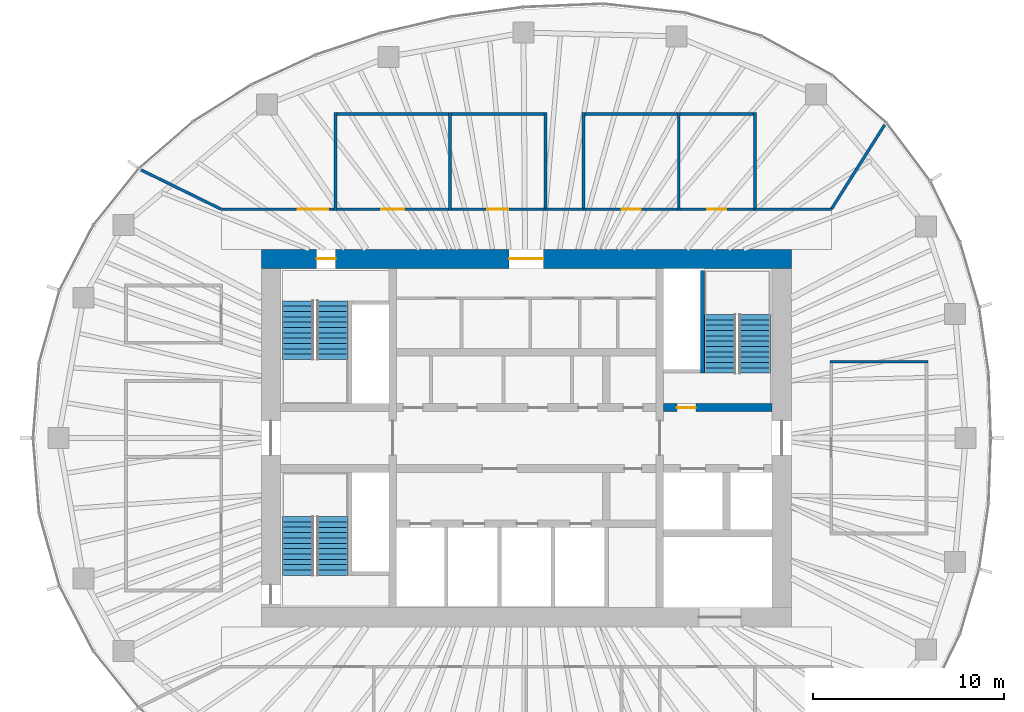
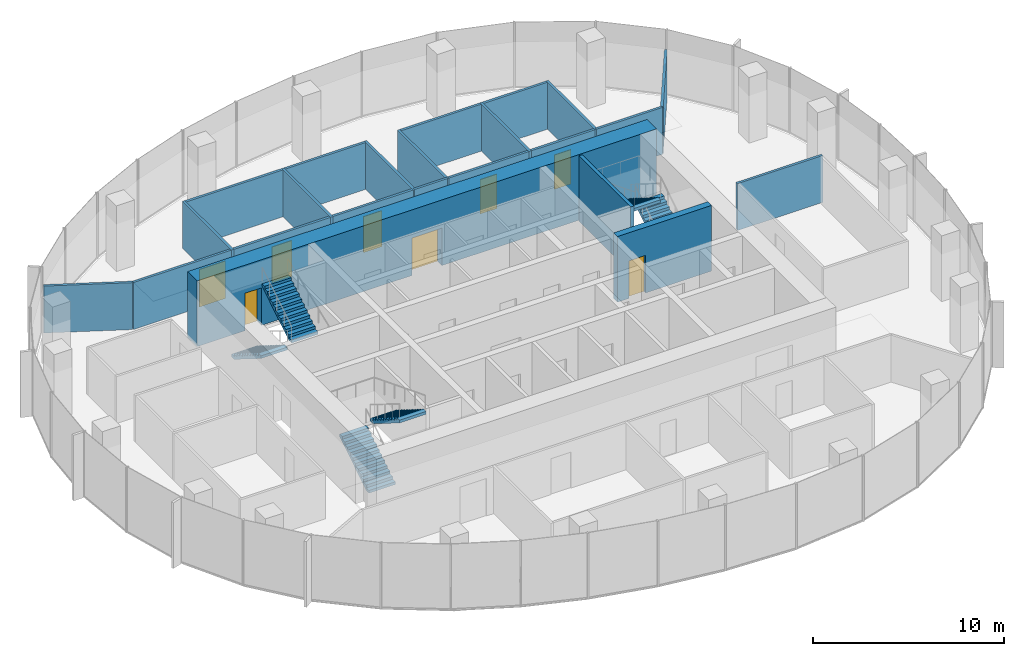
# One storey, part 10 of 11: 23 walls, 8 doors, 6 stair flights, 8 openings, 3 elements without a shape of their own.
"""IFC4 building model written with IfcOpenShell, lengths in metres."""

import ifcopenshell
import ifcopenshell.guid

model = None  # the IFC model being written
_history = None  # IfcOwnerHistory: only IFC2X3 demands one
_inside = {}  # id of a spatial element -> (the spatial element, [elements in it])
_under = {}  # id of a project, library or spatial element -> (it, [spatial elements below it])
_declared = {}  # id of a project -> (the project, [libraries it declares])
_typed = {}  # id of a type object -> (the type object, [elements of that type])
_made_of = {}  # id of a material, layer set ... -> (it, [elements and type objects made of it])


def new_model(schema):
    """Start an empty IFC model of exactly this schema.

    Asked for "IFC4X3", IfcOpenShell would pick the latest addendum, in which some entities
    have other attributes; the version numbers below select the first issue.
    IFC2X3 requires an IfcOwnerHistory on every rooted entity: one is made here for all.
    """
    global model, _history
    if schema == "IFC4X3":
        model = ifcopenshell.file(schema_version=(4, 3, 0, 0))
    else:
        model = ifcopenshell.file(schema=schema)
    _inside.clear()
    _under.clear()
    _declared.clear()
    _typed.clear()
    _made_of.clear()
    _history = None
    if model.schema == "IFC2X3":
        org = make("IfcOrganization", Name="unknown")
        user = make(
            "IfcPersonAndOrganization",
            ThePerson=make("IfcPerson", FamilyName="unknown"),
            TheOrganization=org,
        )
        app = make(
            "IfcApplication",
            ApplicationDeveloper=org,
            Version="unknown",
            ApplicationFullName="unknown",
            ApplicationIdentifier="unknown",
        )
        _history = make(
            "IfcOwnerHistory",
            OwningUser=user,
            OwningApplication=app,
            ChangeAction="ADDED",
            CreationDate=0,
        )
    return model


def make(cls, **values):
    """One entity of the class cls with the attributes given. An attribute that is None is left unset."""
    return model.create_entity(
        cls, **{name: value for name, value in values.items() if value is not None}
    )


def rooted(cls, **values):
    """An entity with a GlobalId (a new one), such as an element, a storey or a relation."""
    return make(cls, GlobalId=ifcopenshell.guid.new(), OwnerHistory=_history, **values)


def si_unit(unit_type, name, prefix=None):
    """IfcSIUnit, for example si_unit("LENGTHUNIT", "METRE", prefix="MILLI")."""
    return make("IfcSIUnit", UnitType=unit_type, Prefix=prefix, Name=name)


def assignment(units):
    """IfcUnitAssignment: the units of a project."""
    return None if units is None else make("IfcUnitAssignment", Units=units)


def point(xyz):
    """IfcCartesianPoint."""
    return None if xyz is None else make("IfcCartesianPoint", Coordinates=xyz)


def direction(xyz):
    """IfcDirection."""
    return None if xyz is None else make("IfcDirection", DirectionRatios=xyz)


def frame(location, z_axis=None, x_axis=None):
    """IfcAxis2Placement3D, a coordinate frame: its origin and axes. An axis left out is left unset."""
    return make(
        "IfcAxis2Placement3D",
        Location=point(location),
        Axis=direction(z_axis),
        RefDirection=direction(x_axis),
    )


def frame_2d(location, x_axis=None):
    """IfcAxis2Placement2D, a coordinate frame in the plane: its origin and x axis."""
    return make(
        "IfcAxis2Placement2D", Location=point(location), RefDirection=direction(x_axis)
    )


def origin():
    """The frame at (0, 0, 0) with its axes left unset."""
    return frame((0.0, 0.0, 0.0))


def place(relative_to, where):
    """IfcLocalPlacement: puts the frame where relative to a parent placement (None: the world)."""
    return make(
        "IfcLocalPlacement", PlacementRelTo=relative_to, RelativePlacement=where
    )


def context(
    kind, dimensions, precision=None, world=None, true_north=None, identifier=None
):
    """IfcGeometricRepresentationContext, for example the 3D "Model" context."""
    return make(
        "IfcGeometricRepresentationContext",
        ContextIdentifier=identifier,
        ContextType=kind,
        CoordinateSpaceDimension=dimensions,
        Precision=precision,
        WorldCoordinateSystem=world,
        TrueNorth=true_north,
    )


def subcontext(parent, identifier, kind, view, scale=None):
    """IfcGeometricRepresentationSubContext, for example "Body" below "Model"."""
    return make(
        "IfcGeometricRepresentationSubContext",
        ContextIdentifier=identifier,
        ContextType=kind,
        ParentContext=parent,
        TargetScale=scale,
        TargetView=view,
    )


def project(units=None, contexts=None):
    """IfcProject with its units and contexts."""
    return rooted(
        "IfcProject",
        Name="project",
        RepresentationContexts=contexts,
        UnitsInContext=assignment(units),
    )


def spatial(cls, under=None, at=None, **own):
    """A site, building, storey or space (cls), placed at a placement, below another one or the project."""
    s = rooted(cls, ObjectPlacement=at, **own)
    if under is not None:
        _under.setdefault(under.id(), (under, []))[1].append(s)
    return s


def polyline(points):
    """IfcPolyline through the points."""
    return make("IfcPolyline", Points=[point(p) for p in points])


def profile(cls, at=None, kind="AREA", **sizes):
    """A parametric profile (cls). Its sizes go by their IFC names, for example OverallWidth=200.0."""
    return make(cls, ProfileType=kind, Position=at, **sizes)


def rectangle(**sizes):
    """IfcRectangleProfileDef."""
    return profile("IfcRectangleProfileDef", **sizes)


def outline(outer, holes=None, kind="AREA"):
    """IfcArbitraryClosedProfileDef: a profile drawn as a closed curve; with holes, ...WithVoids."""
    if holes is None:
        return make("IfcArbitraryClosedProfileDef", ProfileType=kind, OuterCurve=outer)
    return make(
        "IfcArbitraryProfileDefWithVoids",
        ProfileType=kind,
        OuterCurve=outer,
        InnerCurves=holes,
    )


def extrude(swept, where, along, depth):
    """IfcExtrudedAreaSolid: the profile swept, set in the frame where, extruded along a direction by depth."""
    return make(
        "IfcExtrudedAreaSolid",
        SweptArea=swept,
        Position=where,
        ExtrudedDirection=direction(along),
        Depth=depth,
    )


def shape(context_of_items, identifier, shape_type, items):
    """IfcShapeRepresentation: the items that make up one representation, for example the "Body"."""
    return make(
        "IfcShapeRepresentation",
        ContextOfItems=context_of_items,
        RepresentationIdentifier=identifier,
        RepresentationType=shape_type,
        Items=items,
    )


def material(Name=None, Category=None):
    """IfcMaterial."""
    return make("IfcMaterial", Name=Name, Category=Category)


def layer(
    of_material, thickness, ventilated=None, Name=None, Category=None, Priority=None
):
    """IfcMaterialLayer: one layer of a wall or slab, of a material (None: an air gap)."""
    return make(
        "IfcMaterialLayer",
        Material=of_material,
        LayerThickness=thickness,
        IsVentilated=ventilated,
        Name=Name,
        Category=Category,
        Priority=Priority,
    )


def layer_set(layers, Name=None):
    """IfcMaterialLayerSet."""
    return make("IfcMaterialLayerSet", MaterialLayers=layers, LayerSetName=Name)


def made_of(thing, what):
    """Note that an element or type object is made of a material, layer set ...; save() writes the relation."""
    if what is not None:
        _made_of.setdefault(what.id(), (what, []))[1].append(thing)
    return thing


def type_object(cls, material=None, **own):
    """A type object (cls), such as IfcWallType, which elements share."""
    return made_of(rooted(cls, **own), material)


def element(
    cls,
    number,
    at=None,
    inside=None,
    cuts=None,
    type_object=None,
    material=None,
    context=None,
    identifier="Body",
    shape_type=None,
    held_by="IfcProductDefinitionShape",
    body=None,
    shapes=None,
    **own,
):
    """One element of the class cls, such as IfcWall. Its Tag is "e" and its number.

    at: its placement. inside: the storey or other place that contains it. cuts: it is an
    opening in that element (IfcRelVoidsElement). A single representation is given by context,
    identifier, shape_type and body (its items); several are given by shapes. held_by: the class
    of the entity that holds the representations. save() writes the other relations.
    """
    e = rooted(cls, Tag="e%d" % number, ObjectPlacement=at, **own)
    if body is not None:
        shapes = [shape(context, identifier, shape_type, body)]
    if shapes is not None:
        e.Representation = make(held_by, Representations=shapes)
    if inside is not None:
        _inside.setdefault(inside.id(), (inside, []))[1].append(e)
    if cuts is not None:
        rooted(
            "IfcRelVoidsElement", RelatingBuildingElement=cuts, RelatedOpeningElement=e
        )
    if type_object is not None:
        _typed.setdefault(type_object.id(), (type_object, []))[1].append(e)
    return made_of(e, material)


def fill(opening, filler):
    """IfcRelFillsElement: the door or window that sits in an opening."""
    return rooted(
        "IfcRelFillsElement",
        RelatingOpeningElement=opening,
        RelatedBuildingElement=filler,
    )


def aggregate(whole, parts):
    """IfcRelAggregates: a whole, such as a stair, and the parts it consists of."""
    return rooted("IfcRelAggregates", RelatingObject=whole, RelatedObjects=parts)


def save(model, path):
    """Write the relations noted so far, then the file.

    IfcRelAggregates (storeys below a building ...), IfcRelContainedInSpatialStructure (elements
    in a storey), IfcRelDefinesByType, IfcRelAssociatesMaterial and IfcRelDeclares: one each for
    every whole, place, type object, material and project.
    """
    for whole, parts in _under.values():
        aggregate(whole, parts)
    for where, things in _inside.values():
        rooted(
            "IfcRelContainedInSpatialStructure",
            RelatedElements=things,
            RelatingStructure=where,
        )
    for kind, things in _typed.values():
        rooted("IfcRelDefinesByType", RelatedObjects=things, RelatingType=kind)
    for what, things in _made_of.values():
        rooted("IfcRelAssociatesMaterial", RelatedObjects=things, RelatingMaterial=what)
    for by, libraries in _declared.values():
        rooted("IfcRelDeclares", RelatingContext=by, RelatedDefinitions=libraries)
    model.write(path)


model = new_model("IFC4")

# Units and contexts
model_context = context("Model", 3, precision=1e-05, world=origin(), true_north=direction((0.0, 1.0)))
body_context = subcontext(model_context, "Body", "Model", "MODEL_VIEW")
ifc_project = project(units=[si_unit("LENGTHUNIT", "METRE"), si_unit("AREAUNIT", "SQUARE_METRE"), si_unit("VOLUMEUNIT", "CUBIC_METRE"), si_unit("PLANEANGLEUNIT", "RADIAN"), si_unit("MASSUNIT", "GRAM", prefix="KILO")], contexts=[model_context])

# Site, building, storey
site_placement = place(None, origin())
site = spatial("IfcSite", under=ifc_project, at=site_placement, CompositionType="ELEMENT")
building_placement = place(site_placement, origin())
building = spatial("IfcBuilding", under=site, at=building_placement, Name="Ghaith Harvest Tower", CompositionType="ELEMENT")
storey_placement = place(building_placement, frame((0.0, 0.0, 283.800048828125)))
storey = spatial("IfcBuildingStorey", under=building, at=storey_placement, Name="L63", CompositionType="ELEMENT", Elevation=283.800048828125)

# Wall, openings, doors
ifc_material_1 = material(Name="Concrete C50/60", Category="concrete")
ifc_layer_1 = layer(ifc_material_1, 1.0)
ifc_layer_set_1 = layer_set([ifc_layer_1], Name="CORE WALL CW1000")
wall_type_1 = type_object("IfcWallType", Name="CORE WALL CW1000", PredefinedType="SHEAR", material=ifc_layer_set_1)
wall_1_placement = place(storey_placement, frame((13.89990234375, 9.39990234375, 0.0), z_axis=(0.0, 0.0, 1.0), x_axis=(-1.0, 0.0, 0.0)))
wall_1 = element("IfcWall", 1, at=wall_1_placement, inside=storey, type_object=wall_type_1, Name="Core wall N L63", PredefinedType="SHEAR", context=body_context, shape_type="SweptSolid", body=[
    extrude(rectangle(XDim=27.7998046875, YDim=1.0, at=frame_2d((13.89990234375, 0.0))), origin(), (0.0, 0.0, 1.0), 4.199951171875),
])
opening_1_placement = place(wall_1_placement, frame((23.89990234375, 0.0, 0.0)))
opening_1 = element("IfcOpeningElement", 2, at=opening_1_placement, cuts=wall_1, Name="Opening 63-005", PredefinedType="OPENING", context=body_context, shape_type="SweptSolid", body=[
    extrude(rectangle(XDim=1.0, YDim=2.39990234375, at=frame_2d((0.5, 1.199951171875))), frame((0.0, 0.510009765625, 0.0), z_axis=(0.0, -1.0, 0.0), x_axis=(1.0, 0.0, 0.0)), (0.0, 0.0, 1.0), 1.02001953125),
])
opening_2_placement = place(wall_1_placement, frame((13.0, 0.0, 0.0)))
opening_2 = element("IfcOpeningElement", 3, at=opening_2_placement, cuts=wall_1, Name="Opening 63-020", PredefinedType="OPENING", context=body_context, shape_type="SweptSolid", body=[
    extrude(rectangle(XDim=1.800048828125, YDim=2.39990234375, at=frame_2d((0.89990234375, 1.199951171875))), frame((0.0, 0.510009765625, 0.0), z_axis=(0.0, -1.0, 0.0), x_axis=(1.0, 0.0, 0.0)), (0.0, 0.0, 1.0), 1.02001953125),
])
ifc_material_2 = material(Name="Steel fire door", Category="steel")
door_type_1 = type_object("IfcDoorType", Name="D3 FD90 1000x2400", OperationType="SINGLE_SWING_LEFT", PredefinedType="DOOR", material=ifc_material_2)
door_1_placement = place(opening_1_placement, origin())
door_1 = element("IfcDoor", 4, at=door_1_placement, inside=storey, type_object=door_type_1, Name="Stair ST1 door", OperationType="SINGLE_SWING_RIGHT", OverallHeight=2.39990234375, OverallWidth=1.0, PredefinedType="DOOR", context=body_context, shape_type="SweptSolid", body=[
    extrude(rectangle(XDim=1.0, YDim=2.39990234375, at=frame_2d((0.5, 1.199951171875))), frame((0.0, 0.02490234375, 0.0), z_axis=(0.0, -1.0, 0.0), x_axis=(1.0, 0.0, 0.0)), (0.0, 0.0, 1.0), 0.050048828125),
])
fill(opening_1, door_1)
ifc_material_3 = material(Name="Steel fire door", Category="steel")
door_type_2 = type_object("IfcDoorType", Name="D4 FD90 PAIR 1800x2400", OperationType="DOUBLE_DOOR_SINGLE_SWING", PredefinedType="DOOR", material=ifc_material_3)
door_2_placement = place(opening_2_placement, origin())
door_2 = element("IfcDoor", 5, at=door_2_placement, inside=storey, type_object=door_type_2, Name="Core service corridor doors", OperationType="DOUBLE_DOOR_SINGLE_SWING", OverallHeight=2.39990234375, OverallWidth=1.800048828125, PredefinedType="DOOR", context=body_context, shape_type="SweptSolid", body=[
    extrude(rectangle(XDim=1.800048828125, YDim=2.39990234375, at=frame_2d((0.89990234375, 1.199951171875))), frame((0.0, 0.02490234375, 0.0), z_axis=(0.0, -1.0, 0.0), x_axis=(1.0, 0.0, 0.0)), (0.0, 0.0, 1.0), 0.050048828125),
])
fill(opening_2, door_2)

# Walls
ifc_material_4 = material(Name="Gypsum board on steel studs", Category="steel")
ifc_layer_2 = layer(ifc_material_4, 0.14990234375)
ifc_layer_set_2 = layer_set([ifc_layer_2], Name="PARTITION 150")
wall_type_2 = type_object("IfcWallType", Name="PARTITION 150", PredefinedType="PARTITIONING", material=ifc_layer_set_2)
for number, where, z_axis, x_axis, name in (
    (6, (-10.0, 11.925048828125, 0.0), (0.0, 0.0, 1.0), (0.0, 1.0, 0.0), "Partition L63 row N4 cross wall 1"),
    (7, (-4.0, 11.925048828125, 0.0), (0.0, 0.0, 1.0), (0.0, 1.0, 0.0), "Partition L63 row N4 cross wall 2"),
    (8, (1.0, 11.925048828125, 0.0), (0.0, 0.0, 1.0), (0.0, 1.0, 0.0), "Partition L63 row N4 cross wall 3"),
):
    element("IfcWall", number, at=place(storey_placement, frame(where, z_axis=z_axis, x_axis=x_axis)), inside=storey, type_object=wall_type_2, Name=name, PredefinedType="PARTITIONING", context=body_context, shape_type="SweptSolid", body=[
        extrude(rectangle(XDim=5.14990234375, YDim=0.14990234375, at=frame_2d((2.574951171875, 0.0))), origin(), (0.0, 0.0, 1.0), 3.0),
    ])

# Wall, opening, door
wall_2_placement = place(storey_placement, frame((-9.925048828125, 12.0, 0.0), z_axis=(0.0, 0.0, 1.0), x_axis=(1.0, 0.0, 0.0)))
wall_2 = element("IfcWall", 9, at=wall_2_placement, inside=storey, type_object=wall_type_2, Name="Partition L63-06", PredefinedType="PARTITIONING", context=body_context, shape_type="SweptSolid", body=[
    extrude(rectangle(XDim=5.85009765625, YDim=0.14990234375, at=frame_2d((2.925048828125, 0.0))), origin(), (0.0, 0.0, 1.0), 3.0),
])
opening_3_placement = place(wall_2_placement, frame((2.324951171875, 0.0, 0.0)))
opening_3 = element("IfcOpeningElement", 10, at=opening_3_placement, cuts=wall_2, Name="Opening 63-033", PredefinedType="OPENING", context=body_context, shape_type="SweptSolid", body=[
    extrude(rectangle(XDim=1.199951171875, YDim=2.300048828125, at=frame_2d((0.60009765625, 1.14990234375))), frame((0.0, 0.0849609375, 0.0), z_axis=(0.0, -1.0, 0.0), x_axis=(1.0, 0.0, 0.0)), (0.0, 0.0, 1.0), 0.169921875),
])
ifc_material_5 = material(Name="Timber door with vision panel", Category="wood")
door_type_3 = type_object("IfcDoorType", Name="D15 LABORATORY 1200x2300", OperationType="SINGLE_SWING_LEFT", PredefinedType="DOOR", material=ifc_material_5)
door_3_placement = place(opening_3_placement, origin())
door_3 = element("IfcDoor", 11, at=door_3_placement, inside=storey, type_object=door_type_3, Name="Genetics laboratory door", OperationType="SINGLE_SWING_LEFT", OverallHeight=2.300048828125, OverallWidth=1.199951171875, PredefinedType="DOOR", context=body_context, shape_type="SweptSolid", body=[
    extrude(rectangle(XDim=1.199951171875, YDim=2.300048828125, at=frame_2d((0.60009765625, 1.14990234375))), frame((0.0, 0.02490234375, 0.0), z_axis=(0.0, -1.0, 0.0), x_axis=(1.0, 0.0, 0.0)), (0.0, 0.0, 1.0), 0.050048828125),
])
fill(opening_3, door_3)

# Wall
wall_3_placement = place(storey_placement, frame((-9.925048828125, 17.0, 0.0), z_axis=(0.0, 0.0, 1.0), x_axis=(1.0, 0.0, 0.0)))
element("IfcWall", 12, at=wall_3_placement, inside=storey, type_object=wall_type_2, Name="Partition L63-06", PredefinedType="PARTITIONING", context=body_context, shape_type="SweptSolid", body=[
    extrude(rectangle(XDim=5.85009765625, YDim=0.14990234375, at=frame_2d((2.925048828125, 0.0))), origin(), (0.0, 0.0, 1.0), 3.0),
])

# Wall, opening, door
wall_4_placement = place(storey_placement, frame((-3.925048828125, 12.0, 0.0), z_axis=(0.0, 0.0, 1.0), x_axis=(1.0, 0.0, 0.0)))
wall_4 = element("IfcWall", 13, at=wall_4_placement, inside=storey, type_object=wall_type_2, Name="Partition L63-07", PredefinedType="PARTITIONING", context=body_context, shape_type="SweptSolid", body=[
    extrude(rectangle(XDim=4.85009765625, YDim=0.14990234375, at=frame_2d((2.425048828125, 0.0))), origin(), (0.0, 0.0, 1.0), 3.0),
])
opening_4_placement = place(wall_4_placement, frame((1.875, 0.0, 0.0)))
opening_4 = element("IfcOpeningElement", 14, at=opening_4_placement, cuts=wall_4, Name="Opening 63-034", PredefinedType="OPENING", context=body_context, shape_type="SweptSolid", body=[
    extrude(rectangle(XDim=1.10009765625, YDim=2.300048828125, at=frame_2d((0.550048828125, 1.14990234375))), frame((0.0, 0.0849609375, 0.0), z_axis=(0.0, -1.0, 0.0), x_axis=(1.0, 0.0, 0.0)), (0.0, 0.0, 1.0), 0.169921875),
])
ifc_material_6 = material(Name="Timber-framed glazed door", Category="wood")
door_type_4 = type_object("IfcDoorType", Name="D12 GLAZED OFFICE 1100x2300", OperationType="SINGLE_SWING_LEFT", PredefinedType="DOOR", material=ifc_material_6)
door_4_placement = place(opening_4_placement, origin())
door_4 = element("IfcDoor", 15, at=door_4_placement, inside=storey, type_object=door_type_4, Name="Crop office door", OperationType="SINGLE_SWING_LEFT", OverallHeight=2.300048828125, OverallWidth=1.10009765625, PredefinedType="DOOR", context=body_context, shape_type="SweptSolid", body=[
    extrude(rectangle(XDim=1.10009765625, YDim=2.300048828125, at=frame_2d((0.550048828125, 1.14990234375))), frame((0.0, 0.02490234375, 0.0), z_axis=(0.0, -1.0, 0.0), x_axis=(1.0, 0.0, 0.0)), (0.0, 0.0, 1.0), 0.050048828125),
])
fill(opening_4, door_4)

# Walls
wall_5_placement = place(storey_placement, frame((-3.925048828125, 17.0, 0.0), z_axis=(0.0, 0.0, 1.0), x_axis=(1.0, 0.0, 0.0)))
element("IfcWall", 16, at=wall_5_placement, inside=storey, type_object=wall_type_2, Name="Partition L63-07", PredefinedType="PARTITIONING", context=body_context, shape_type="SweptSolid", body=[
    extrude(rectangle(XDim=4.85009765625, YDim=0.14990234375, at=frame_2d((2.425048828125, 0.0))), origin(), (0.0, 0.0, 1.0), 3.0),
])
for number, where, z_axis, x_axis, name in (
    (17, (3.0, 11.925048828125, 0.0), (0.0, 0.0, 1.0), (0.0, 1.0, 0.0), "Partition L63 row N5 cross wall 1"),
    (18, (8.0, 11.925048828125, 0.0), (0.0, 0.0, 1.0), (0.0, 1.0, 0.0), "Partition L63 row N5 cross wall 2"),
    (19, (12.0, 11.925048828125, 0.0), (0.0, 0.0, 1.0), (0.0, 1.0, 0.0), "Partition L63 row N5 cross wall 3"),
):
    element("IfcWall", number, at=place(storey_placement, frame(where, z_axis=z_axis, x_axis=x_axis)), inside=storey, type_object=wall_type_2, Name=name, PredefinedType="PARTITIONING", context=body_context, shape_type="SweptSolid", body=[
        extrude(rectangle(XDim=5.14990234375, YDim=0.14990234375, at=frame_2d((2.574951171875, 0.0))), origin(), (0.0, 0.0, 1.0), 3.0),
    ])

# Wall, opening, door
wall_6_placement = place(storey_placement, frame((3.074951171875, 12.0, 0.0), z_axis=(0.0, 0.0, 1.0), x_axis=(1.0, 0.0, 0.0)))
wall_6 = element("IfcWall", 20, at=wall_6_placement, inside=storey, type_object=wall_type_2, Name="Partition L63-08", PredefinedType="PARTITIONING", context=body_context, shape_type="SweptSolid", body=[
    extrude(rectangle(XDim=4.85009765625, YDim=0.14990234375, at=frame_2d((2.425048828125, 0.0))), origin(), (0.0, 0.0, 1.0), 3.0),
])
opening_5_placement = place(wall_6_placement, frame((1.925048828125, 0.0, 0.0)))
opening_5 = element("IfcOpeningElement", 21, at=opening_5_placement, cuts=wall_6, Name="Opening 63-035", PredefinedType="OPENING", context=body_context, shape_type="SweptSolid", body=[
    extrude(rectangle(XDim=1.0, YDim=2.199951171875, at=frame_2d((0.5, 1.10009765625))), frame((0.0, 0.0849609375, 0.0), z_axis=(0.0, -1.0, 0.0), x_axis=(1.0, 0.0, 0.0)), (0.0, 0.0, 1.0), 0.169921875),
])
ifc_material_7 = material(Name="Timber door", Category="wood")
door_type_5 = type_object("IfcDoorType", Name="D1 SINGLE 1000x2200", OperationType="SINGLE_SWING_LEFT", PredefinedType="DOOR", material=ifc_material_7)
door_5_placement = place(opening_5_placement, origin())
door_5 = element("IfcDoor", 22, at=door_5_placement, inside=storey, type_object=door_type_5, Name="Staff room door", OperationType="SINGLE_SWING_LEFT", OverallHeight=2.199951171875, OverallWidth=1.0, PredefinedType="DOOR", context=body_context, shape_type="SweptSolid", body=[
    extrude(rectangle(XDim=1.0, YDim=2.199951171875, at=frame_2d((0.5, 1.10009765625))), frame((0.0, 0.02490234375, 0.0), z_axis=(0.0, -1.0, 0.0), x_axis=(1.0, 0.0, 0.0)), (0.0, 0.0, 1.0), 0.050048828125),
])
fill(opening_5, door_5)

# Wall
wall_7_placement = place(storey_placement, frame((3.074951171875, 17.0, 0.0), z_axis=(0.0, 0.0, 1.0), x_axis=(1.0, 0.0, 0.0)))
element("IfcWall", 23, at=wall_7_placement, inside=storey, type_object=wall_type_2, Name="Partition L63-08", PredefinedType="PARTITIONING", context=body_context, shape_type="SweptSolid", body=[
    extrude(rectangle(XDim=4.85009765625, YDim=0.14990234375, at=frame_2d((2.425048828125, 0.0))), origin(), (0.0, 0.0, 1.0), 3.0),
])

# Wall, opening, door
wall_8_placement = place(storey_placement, frame((8.074951171875, 12.0, 0.0), z_axis=(0.0, 0.0, 1.0), x_axis=(1.0, 0.0, 0.0)))
wall_8 = element("IfcWall", 24, at=wall_8_placement, inside=storey, type_object=wall_type_2, Name="Partition L63-09", PredefinedType="PARTITIONING", context=body_context, shape_type="SweptSolid", body=[
    extrude(rectangle(XDim=3.85009765625, YDim=0.14990234375, at=frame_2d((1.925048828125, 0.0))), origin(), (0.0, 0.0, 1.0), 3.0),
])
opening_6_placement = place(wall_8_placement, frame((1.425048828125, 0.0, 0.0)))
opening_6 = element("IfcOpeningElement", 25, at=opening_6_placement, cuts=wall_8, Name="Opening 63-036", PredefinedType="OPENING", context=body_context, shape_type="SweptSolid", body=[
    extrude(rectangle(XDim=1.0, YDim=2.199951171875, at=frame_2d((0.5, 1.10009765625))), frame((0.0, 0.0849609375, 0.0), z_axis=(0.0, -1.0, 0.0), x_axis=(1.0, 0.0, 0.0)), (0.0, 0.0, 1.0), 0.169921875),
])
door_6_placement = place(opening_6_placement, origin())
door_6 = element("IfcDoor", 26, at=door_6_placement, inside=storey, type_object=door_type_5, Name="Store door", OperationType="SINGLE_SWING_LEFT", OverallHeight=2.199951171875, OverallWidth=1.0, PredefinedType="DOOR", context=body_context, shape_type="SweptSolid", body=[
    extrude(rectangle(XDim=1.0, YDim=2.199951171875, at=frame_2d((0.5, 1.10009765625))), frame((0.0, 0.02490234375, 0.0), z_axis=(0.0, -1.0, 0.0), x_axis=(1.0, 0.0, 0.0)), (0.0, 0.0, 1.0), 0.050048828125),
])
fill(opening_6, door_6)

# Walls
wall_9_placement = place(storey_placement, frame((8.074951171875, 17.0, 0.0), z_axis=(0.0, 0.0, 1.0), x_axis=(1.0, 0.0, 0.0)))
element("IfcWall", 27, at=wall_9_placement, inside=storey, type_object=wall_type_2, Name="Partition L63-09", PredefinedType="PARTITIONING", context=body_context, shape_type="SweptSolid", body=[
    extrude(rectangle(XDim=3.85009765625, YDim=0.14990234375, at=frame_2d((1.925048828125, 0.0))), origin(), (0.0, 0.0, 1.0), 3.0),
])
wall_10_placement = place(storey_placement, frame((15.925048828125, 4.0, 0.0), z_axis=(0.0, 0.0, 1.0), x_axis=(1.0, 0.0, 0.0)))
element("IfcWall", 28, at=wall_10_placement, inside=storey, type_object=wall_type_2, Name="Partition L63 row E6 cross wall 2", PredefinedType="PARTITIONING", context=body_context, shape_type="SweptSolid", body=[
    extrude(rectangle(XDim=5.14990234375, YDim=0.14990234375, at=frame_2d((2.574951171875, 0.0))), origin(), (0.0, 0.0, 1.0), 3.0),
])
wall_11_placement = place(storey_placement, frame((-16.017822265625, 12.0087890625, 0.0), z_axis=(0.0, 0.0, 1.0), x_axis=(-0.897771840996, 0.440460805879, 0.0)))
element("IfcWall", 29, at=wall_11_placement, inside=storey, type_object=wall_type_2, Name="Partition L63 zone division", PredefinedType="PARTITIONING", context=body_context, shape_type="SweptSolid", body=[
    extrude(rectangle(XDim=4.66552734375, YDim=0.14990234375, at=frame_2d((2.332763671875, 0.0))), origin(), (0.0, 0.0, 1.0), 3.0),
])
wall_12_placement = place(storey_placement, frame((16.0107421875, 12.016845703125, 0.0), z_axis=(0.0, 0.0, 1.0), x_axis=(0.53415837449, 0.845384427916, 0.0)))
element("IfcWall", 30, at=wall_12_placement, inside=storey, type_object=wall_type_2, Name="Partition L63 zone division", PredefinedType="PARTITIONING", context=body_context, shape_type="SweptSolid", body=[
    extrude(rectangle(XDim=5.220458984375, YDim=0.14990234375, at=frame_2d((2.6103515625, 0.0))), origin(), (0.0, 0.0, 1.0), 3.0),
])

# Wall, opening, door
wall_13_placement = place(storey_placement, frame((-10.0, 12.0, 0.0), z_axis=(0.0, 0.0, 1.0), x_axis=(-1.0, 0.0, 0.0)))
wall_13 = element("IfcWall", 31, at=wall_13_placement, inside=storey, type_object=wall_type_2, Name="Partition L63 zone enclosure", PredefinedType="PARTITIONING", context=body_context, shape_type="SweptSolid", body=[
    extrude(rectangle(XDim=6.0, YDim=0.14990234375, at=frame_2d((3.0, 0.0))), origin(), (0.0, 0.0, 1.0), 3.0),
])
opening_7_placement = place(wall_13_placement, frame((0.39990234375, 0.0, 0.0)))
opening_7 = element("IfcOpeningElement", 32, at=opening_7_placement, cuts=wall_13, Name="Opening 63-039", PredefinedType="OPENING", context=body_context, shape_type="SweptSolid", body=[
    extrude(rectangle(XDim=1.60009765625, YDim=2.39990234375, at=frame_2d((0.800048828125, 1.199951171875))), frame((0.0, 0.0849609375, 0.0), z_axis=(0.0, -1.0, 0.0), x_axis=(1.0, 0.0, 0.0)), (0.0, 0.0, 1.0), 0.169921875),
])
ifc_material_8 = material(Name="Timber door", Category="wood")
door_type_6 = type_object("IfcDoorType", Name="D2 PAIR 1600x2400", OperationType="DOUBLE_DOOR_SINGLE_SWING", PredefinedType="DOOR", material=ifc_material_8)
door_7_placement = place(opening_7_placement, origin())
door_7 = element("IfcDoor", 33, at=door_7_placement, inside=storey, type_object=door_type_6, Name="Breeding growing area north door", OperationType="DOUBLE_DOOR_SINGLE_SWING", OverallHeight=2.39990234375, OverallWidth=1.60009765625, PredefinedType="DOOR", context=body_context, shape_type="SweptSolid", body=[
    extrude(rectangle(XDim=1.60009765625, YDim=2.39990234375, at=frame_2d((0.800048828125, 1.199951171875))), frame((0.0, 0.02490234375, 0.0), z_axis=(0.0, -1.0, 0.0), x_axis=(1.0, 0.0, 0.0)), (0.0, 0.0, 1.0), 0.050048828125),
])
fill(opening_7, door_7)

# Walls
wall_14_placement = place(storey_placement, frame((3.0, 12.0, 0.0), z_axis=(0.0, 0.0, 1.0), x_axis=(-1.0, 0.0, 0.0)))
element("IfcWall", 34, at=wall_14_placement, inside=storey, type_object=wall_type_2, Name="Partition L63 zone enclosure", PredefinedType="PARTITIONING", context=body_context, shape_type="SweptSolid", body=[
    extrude(rectangle(XDim=2.0, YDim=0.14990234375, at=frame_2d((1.0, 0.0))), origin(), (0.0, 0.0, 1.0), 3.0),
])
wall_15_placement = place(storey_placement, frame((16.0, 12.0, 0.0), z_axis=(0.0, 0.0, 1.0), x_axis=(-1.0, 0.0, 0.0)))
element("IfcWall", 35, at=wall_15_placement, inside=storey, type_object=wall_type_2, Name="Partition L63 zone enclosure", PredefinedType="PARTITIONING", context=body_context, shape_type="SweptSolid", body=[
    extrude(rectangle(XDim=4.0, YDim=0.14990234375, at=frame_2d((2.0, 0.0))), origin(), (0.0, 0.0, 1.0), 3.0),
])

# Wall, opening, door
ifc_material_9 = material(Name="Concrete C70/85", Category="concrete")
ifc_layer_3 = layer(ifc_material_9, 0.39990234375)
ifc_layer_set_3 = layer_set([ifc_layer_3], Name="SHAFT WALL 400")
wall_type_3 = type_object("IfcWallType", Name="SHAFT WALL 400", PredefinedType="SHEAR", material=ifc_layer_set_3)
wall_16_placement = place(storey_placement, frame((7.199951171875, 1.60009765625, 0.0), z_axis=(0.0, 0.0, 1.0), x_axis=(1.0, 0.0, 0.0)))
wall_16 = element("IfcWall", 36, at=wall_16_placement, inside=storey, type_object=wall_type_3, Name="Shaft wall EN L63", PredefinedType="SHEAR", context=body_context, shape_type="SweptSolid", body=[
    extrude(rectangle(XDim=5.699951171875, YDim=0.39990234375, at=frame_2d((2.85009765625, 0.0))), origin(), (0.0, 0.0, 1.0), 4.199951171875),
])
opening_8_placement = place(wall_16_placement, frame((0.699951171875, 0.0, 0.0)))
opening_8 = element("IfcOpeningElement", 37, at=opening_8_placement, cuts=wall_16, Name="Opening 63-007", PredefinedType="OPENING", context=body_context, shape_type="SweptSolid", body=[
    extrude(rectangle(XDim=1.0, YDim=2.39990234375, at=frame_2d((0.5, 1.199951171875))), frame((0.0, 0.2099609375, 0.0), z_axis=(0.0, -1.0, 0.0), x_axis=(1.0, 0.0, 0.0)), (0.0, 0.0, 1.0), 0.419921875),
])
door_8_placement = place(opening_8_placement, origin())
door_8 = element("IfcDoor", 38, at=door_8_placement, inside=storey, type_object=door_type_1, Name="Stair ST2 door", OperationType="SINGLE_SWING_LEFT", OverallHeight=2.39990234375, OverallWidth=1.0, PredefinedType="DOOR", context=body_context, shape_type="SweptSolid", body=[
    extrude(rectangle(XDim=1.0, YDim=2.39990234375, at=frame_2d((0.5, 1.199951171875))), frame((0.0, 0.02490234375, 0.0), z_axis=(0.0, -1.0, 0.0), x_axis=(1.0, 0.0, 0.0)), (0.0, 0.0, 1.0), 0.050048828125),
])
fill(opening_8, door_8)

# Wall
ifc_material_10 = material(Name="Concrete C40/50", Category="concrete")
ifc_layer_4 = layer(ifc_material_10, 0.199951171875)
ifc_layer_set_4 = layer_set([ifc_layer_4], Name="STAIR SPINE WALL RC200")
wall_type_4 = type_object("IfcWallType", Name="STAIR SPINE WALL RC200", PredefinedType="SOLIDWALL", material=ifc_layer_set_4)
wall_17_placement = place(storey_placement, frame((9.25, 3.39990234375, 0.0), z_axis=(0.0, 0.0, 1.0), x_axis=(0.0, 1.0, 0.0)))
element("IfcWall", 39, at=wall_17_placement, inside=storey, type_object=wall_type_4, Name="Stair ST2 spine wall L63", PredefinedType="SOLIDWALL", context=body_context, shape_type="SweptSolid", body=[
    extrude(rectangle(XDim=5.400146484375, YDim=0.199951171875, at=frame_2d((2.7001953125, 0.0))), origin(), (0.0, 0.0, 1.0), 4.199951171875),
])

# Stair, stair flights
ifc_material_11 = material(Name="Concrete C40/50, precast", Category="concrete")
stair_type = type_object("IfcStairType", Name="CORE STAIR 24R", PredefinedType="HALF_TURN_STAIR", material=ifc_material_11)
stair_1_placement = place(storey_placement, origin())
stair_1 = element("IfcStair", 40, at=stair_1_placement, inside=storey, type_object=stair_type, Name="Stair ST1 L63", PredefinedType="HALF_TURN_STAIR")
ifc_material_12 = material(Name="Concrete C40/50, precast", Category="concrete")
stair_flight_type = type_object("IfcStairFlightType", Name="CORE FLIGHT 12R 1600", PredefinedType="STRAIGHT", material=ifc_material_12)
stair_flight_1_placement = place(storey_placement, frame((-12.0, 7.199951171875, 0.0), z_axis=(0.0, 0.0, 1.0), x_axis=(0.0, -1.0, 0.0)))
stair_flight_1 = element("IfcStairFlight", 41, at=stair_flight_1_placement, type_object=stair_flight_type, Name="ST1 flight 1", NumberOfRisers=12, NumberOfTreads=11, PredefinedType="STRAIGHT", RiserHeight=0.175, TreadLength=0.28, context=body_context, shape_type="SweptSolid", body=[
    extrude(outline(polyline([(0.0, 0.0), (0.0, 0.175048828125), (0.280029296875, 0.175048828125), (0.280029296875, 0.35009765625), (0.56005859375, 0.35009765625), (0.56005859375, 0.52490234375), (0.840087890625, 0.52490234375), (0.840087890625, 0.699951171875), (1.1201171875, 0.699951171875), (1.1201171875, 0.875), (1.39990234375, 0.875), (1.39990234375, 1.050048828125), (1.679931640625, 1.050048828125), (1.679931640625, 1.22509765625), (1.9599609375, 1.22509765625), (1.9599609375, 1.39990234375), (2.239990234375, 1.39990234375), (2.239990234375, 1.574951171875), (2.52001953125, 1.574951171875), (2.52001953125, 1.75), (2.800048828125, 1.75), (2.800048828125, 1.925048828125), (3.080078125, 1.925048828125), (3.080078125, 2.10009765625), (3.080078125, 1.748291015625), (0.28271484375, 0.0), (0.0, 0.0)])), frame((0.0, 0.800048828125, 0.0), z_axis=(0.0, -1.0, 0.0), x_axis=(1.0, 0.0, 0.0)), (0.0, 0.0, 1.0), 1.60009765625),
])
stair_flight_2_placement = place(storey_placement, frame((-10.14990234375, 4.1201171875, 2.099853515625), z_axis=(0.0, 0.0, 1.0), x_axis=(0.0, 1.0, 0.0)))
stair_flight_2 = element("IfcStairFlight", 42, at=stair_flight_2_placement, type_object=stair_flight_type, Name="ST1 flight 2", NumberOfRisers=12, NumberOfTreads=11, PredefinedType="STRAIGHT", RiserHeight=0.175, TreadLength=0.28, context=body_context, shape_type="SweptSolid", body=[
    extrude(outline(polyline([(0.0, 0.0), (0.0, 0.175048828125), (0.280029296875, 0.175048828125), (0.280029296875, 0.35009765625), (0.56005859375, 0.35009765625), (0.56005859375, 0.52490234375), (0.840087890625, 0.52490234375), (0.840087890625, 0.699951171875), (1.1201171875, 0.699951171875), (1.1201171875, 0.875), (1.39990234375, 0.875), (1.39990234375, 1.050048828125), (1.679931640625, 1.050048828125), (1.679931640625, 1.22509765625), (1.9599609375, 1.22509765625), (1.9599609375, 1.39990234375), (2.239990234375, 1.39990234375), (2.239990234375, 1.574951171875), (2.52001953125, 1.574951171875), (2.52001953125, 1.75), (2.800048828125, 1.75), (2.800048828125, 1.925048828125), (3.080078125, 1.925048828125), (3.080078125, 2.10009765625), (3.080078125, 1.748291015625), (0.28271484375, 0.0), (0.0, 0.0)])), frame((0.0, 0.800048828125, 0.0), z_axis=(0.0, -1.0, 0.0), x_axis=(1.0, 0.0, 0.0)), (0.0, 0.0, 1.0), 1.60009765625),
])
aggregate(stair_1, [stair_flight_1, stair_flight_2])

stair_2_placement = place(storey_placement, origin())
stair_2 = element("IfcStair", 43, at=stair_2_placement, inside=storey, type_object=stair_type, Name="Stair ST3 L63", PredefinedType="HALF_TURN_STAIR")
stair_flight_3_placement = place(storey_placement, frame((-12.0, -7.199951171875, 0.0), z_axis=(0.0, 0.0, 1.0), x_axis=(0.0, 1.0, 0.0)))
stair_flight_3 = element("IfcStairFlight", 44, at=stair_flight_3_placement, type_object=stair_flight_type, Name="ST3 flight 1", NumberOfRisers=12, NumberOfTreads=11, PredefinedType="STRAIGHT", RiserHeight=0.175, TreadLength=0.28, context=body_context, shape_type="SweptSolid", body=[
    extrude(outline(polyline([(0.0, 0.0), (0.0, 0.175048828125), (0.280029296875, 0.175048828125), (0.280029296875, 0.35009765625), (0.56005859375, 0.35009765625), (0.56005859375, 0.52490234375), (0.840087890625, 0.52490234375), (0.840087890625, 0.699951171875), (1.1201171875, 0.699951171875), (1.1201171875, 0.875), (1.39990234375, 0.875), (1.39990234375, 1.050048828125), (1.679931640625, 1.050048828125), (1.679931640625, 1.22509765625), (1.9599609375, 1.22509765625), (1.9599609375, 1.39990234375), (2.239990234375, 1.39990234375), (2.239990234375, 1.574951171875), (2.52001953125, 1.574951171875), (2.52001953125, 1.75), (2.800048828125, 1.75), (2.800048828125, 1.925048828125), (3.080078125, 1.925048828125), (3.080078125, 2.10009765625), (3.080078125, 1.748291015625), (0.28271484375, 0.0), (0.0, 0.0)])), frame((0.0, 0.800048828125, 0.0), z_axis=(0.0, -1.0, 0.0), x_axis=(1.0, 0.0, 0.0)), (0.0, 0.0, 1.0), 1.60009765625),
])
stair_flight_4_placement = place(storey_placement, frame((-10.14990234375, -4.1201171875, 2.099853515625), z_axis=(0.0, 0.0, 1.0), x_axis=(0.0, -1.0, 0.0)))
stair_flight_4 = element("IfcStairFlight", 45, at=stair_flight_4_placement, type_object=stair_flight_type, Name="ST3 flight 2", NumberOfRisers=12, NumberOfTreads=11, PredefinedType="STRAIGHT", RiserHeight=0.175, TreadLength=0.28, context=body_context, shape_type="SweptSolid", body=[
    extrude(outline(polyline([(0.0, 0.0), (0.0, 0.175048828125), (0.280029296875, 0.175048828125), (0.280029296875, 0.35009765625), (0.56005859375, 0.35009765625), (0.56005859375, 0.52490234375), (0.840087890625, 0.52490234375), (0.840087890625, 0.699951171875), (1.1201171875, 0.699951171875), (1.1201171875, 0.875), (1.39990234375, 0.875), (1.39990234375, 1.050048828125), (1.679931640625, 1.050048828125), (1.679931640625, 1.22509765625), (1.9599609375, 1.22509765625), (1.9599609375, 1.39990234375), (2.239990234375, 1.39990234375), (2.239990234375, 1.574951171875), (2.52001953125, 1.574951171875), (2.52001953125, 1.75), (2.800048828125, 1.75), (2.800048828125, 1.925048828125), (3.080078125, 1.925048828125), (3.080078125, 2.10009765625), (3.080078125, 1.748291015625), (0.28271484375, 0.0), (0.0, 0.0)])), frame((0.0, 0.800048828125, 0.0), z_axis=(0.0, -1.0, 0.0), x_axis=(1.0, 0.0, 0.0)), (0.0, 0.0, 1.0), 1.60009765625),
])
aggregate(stair_2, [stair_flight_3, stair_flight_4])

stair_3_placement = place(storey_placement, origin())
stair_3 = element("IfcStair", 46, at=stair_3_placement, inside=storey, type_object=stair_type, Name="Stair ST2 L63", PredefinedType="HALF_TURN_STAIR")
stair_flight_5_placement = place(storey_placement, frame((12.0, 3.39990234375, 0.0), z_axis=(0.0, 0.0, 1.0), x_axis=(0.0, 1.0, 0.0)))
stair_flight_5 = element("IfcStairFlight", 47, at=stair_flight_5_placement, type_object=stair_flight_type, Name="ST2 flight 1", NumberOfRisers=12, NumberOfTreads=11, PredefinedType="STRAIGHT", RiserHeight=0.175, TreadLength=0.28, context=body_context, shape_type="SweptSolid", body=[
    extrude(outline(polyline([(0.0, 0.0), (0.0, 0.175048828125), (0.280029296875, 0.175048828125), (0.280029296875, 0.35009765625), (0.56005859375, 0.35009765625), (0.56005859375, 0.52490234375), (0.840087890625, 0.52490234375), (0.840087890625, 0.699951171875), (1.1201171875, 0.699951171875), (1.1201171875, 0.875), (1.39990234375, 0.875), (1.39990234375, 1.050048828125), (1.679931640625, 1.050048828125), (1.679931640625, 1.22509765625), (1.9599609375, 1.22509765625), (1.9599609375, 1.39990234375), (2.239990234375, 1.39990234375), (2.239990234375, 1.574951171875), (2.52001953125, 1.574951171875), (2.52001953125, 1.75), (2.800048828125, 1.75), (2.800048828125, 1.925048828125), (3.080078125, 1.925048828125), (3.080078125, 2.10009765625), (3.080078125, 1.748291015625), (0.28271484375, 0.0), (0.0, 0.0)])), frame((0.0, 0.800048828125, 0.0), z_axis=(0.0, -1.0, 0.0), x_axis=(1.0, 0.0, 0.0)), (0.0, 0.0, 1.0), 1.60009765625),
])
stair_flight_6_placement = place(storey_placement, frame((10.14990234375, 6.47998046875, 2.099853515625), z_axis=(0.0, 0.0, 1.0), x_axis=(0.0, -1.0, 0.0)))
stair_flight_6 = element("IfcStairFlight", 48, at=stair_flight_6_placement, type_object=stair_flight_type, Name="ST2 flight 2", NumberOfRisers=12, NumberOfTreads=11, PredefinedType="STRAIGHT", RiserHeight=0.175, TreadLength=0.28, context=body_context, shape_type="SweptSolid", body=[
    extrude(outline(polyline([(0.0, 0.0), (0.0, 0.175048828125), (0.280029296875, 0.175048828125), (0.280029296875, 0.35009765625), (0.56005859375, 0.35009765625), (0.56005859375, 0.52490234375), (0.840087890625, 0.52490234375), (0.840087890625, 0.699951171875), (1.1201171875, 0.699951171875), (1.1201171875, 0.875), (1.39990234375, 0.875), (1.39990234375, 1.050048828125), (1.679931640625, 1.050048828125), (1.679931640625, 1.22509765625), (1.9599609375, 1.22509765625), (1.9599609375, 1.39990234375), (2.239990234375, 1.39990234375), (2.239990234375, 1.574951171875), (2.52001953125, 1.574951171875), (2.52001953125, 1.75), (2.800048828125, 1.75), (2.800048828125, 1.925048828125), (3.080078125, 1.925048828125), (3.080078125, 2.10009765625), (3.080078125, 1.748291015625), (0.28271484375, 0.0), (0.0, 0.0)])), frame((0.0, 0.800048828125, 0.0), z_axis=(0.0, -1.0, 0.0), x_axis=(1.0, 0.0, 0.0)), (0.0, 0.0, 1.0), 1.60009765625),
])
aggregate(stair_3, [stair_flight_5, stair_flight_6])

save(model, "model.ifc")
